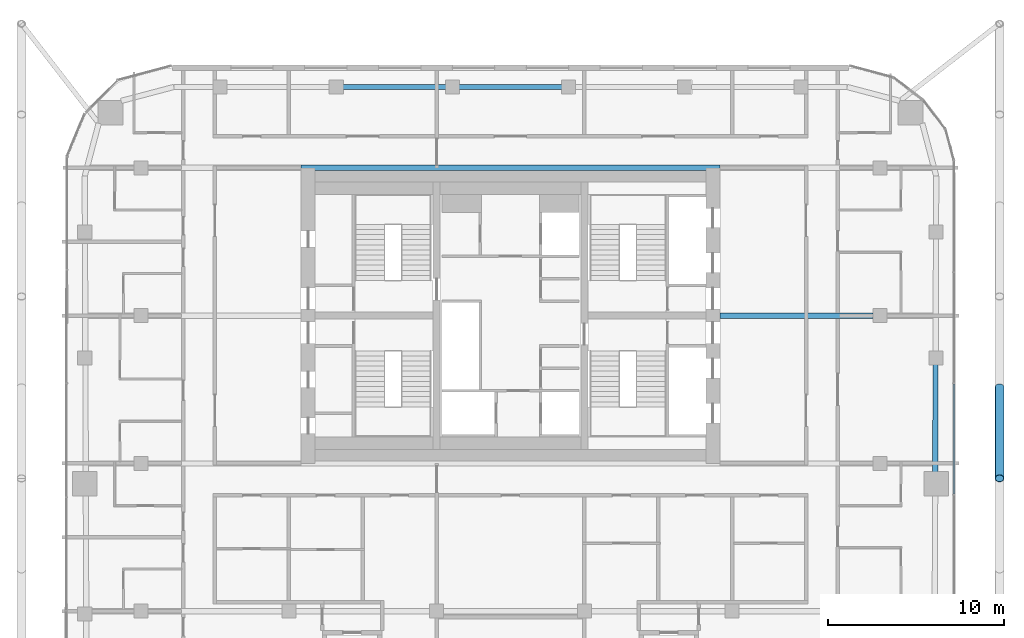
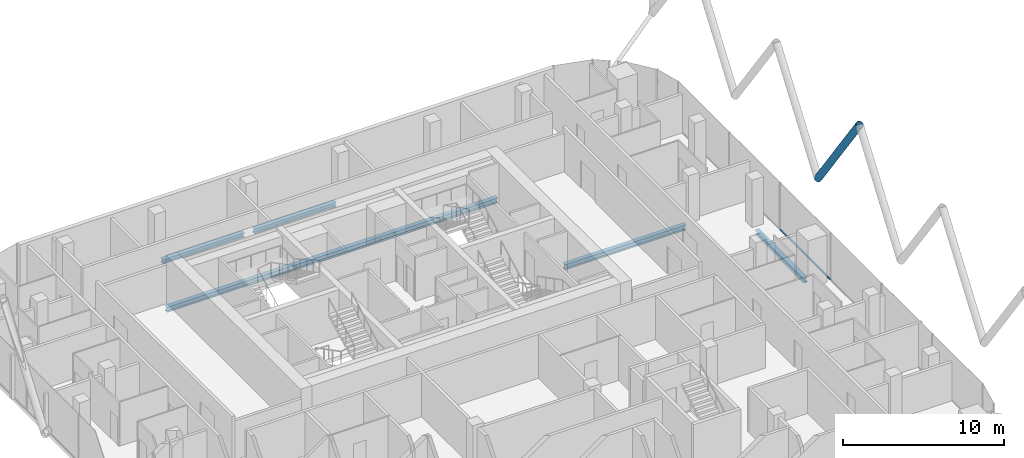
# One storey, part 9 of 28: 5 beams, 2 members, 1 element without a shape of its own.
"""IFC4 building model written with IfcOpenShell, lengths in metres."""

from ifc_helpers import new_model, si_unit, direction, frame, origin, origin_2d, place, context, subcontext, project, spatial, rectangle, hollow_circle, i_section, extrude, material, layer, layer_set, material_profile, profile_set, type_object, element, aggregate, save


model = new_model("IFC4")

# Units and contexts
model_context = context("Model", 3, precision=1e-05, world=origin(), true_north=direction((0.0, 1.0)))
body_context = subcontext(model_context, "Body", "Model", "MODEL_VIEW")
ifc_project = project(units=[si_unit("LENGTHUNIT", "METRE"), si_unit("AREAUNIT", "SQUARE_METRE"), si_unit("VOLUMEUNIT", "CUBIC_METRE"), si_unit("PLANEANGLEUNIT", "RADIAN"), si_unit("MASSUNIT", "GRAM", prefix="KILO")], contexts=[model_context])

# Site, building, storey
site_placement = place(None, origin())
site = spatial("IfcSite", under=ifc_project, at=site_placement, CompositionType="ELEMENT")
building_placement = place(site_placement, origin())
building = spatial("IfcBuilding", under=site, at=building_placement, Name="Marenta Gate Hotel Tower", CompositionType="ELEMENT")
storey_placement = place(building_placement, frame((0.0, 0.0, 227.300048828125)))
storey = spatial("IfcBuildingStorey", under=building, at=storey_placement, Name="L53", CompositionType="ELEMENT", Elevation=227.300048828125)

# Member
ifc_material_1 = material(Name="Steel S355J2W", Category="steel")
ifc_material_profile_1 = material_profile(ifc_material_1, hollow_circle(Radius=0.25390625, WallThickness=0.02490234375, at=origin_2d()), Name="CHS 508x25")
ifc_profile_set_1 = profile_set([ifc_material_profile_1], Name="Steel S355J2W")
member_type_1 = type_object("IfcMemberType", Name="Diagrid diagonal Z3 CHS 508x25", PredefinedType="BRACE", material=ifc_profile_set_1)
member_1_placement = place(storey_placement, frame((27.800048828125, 4.31982421875, 3.139892578125), z_axis=(0.0, -0.583260841117, 0.812284919975), x_axis=(1.0, 0.0, 0.0)))
element("IfcMember", 1, at=member_1_placement, inside=storey, type_object=member_type_1, Name="L53-DG-5", PredefinedType="BRACE", context=body_context, shape_type="SweptSolid", body=[
    extrude(hollow_circle(Radius=0.25390625, WallThickness=0.02490234375, at=origin_2d()), origin(), (0.0, 0.0, 1.0), 8.86376953125),
])

# Beams
ifc_material_2 = material(Name="Steel S355", Category="steel")
ifc_material_profile_2 = material_profile(ifc_material_2, i_section(OverallWidth=0.300048828125, OverallDepth=0.340087890625, WebThickness=0.011962890625, FlangeThickness=0.021484375, FilletRadius=0.027099609375, at=origin_2d()), Name="HEB 340")
ifc_profile_set_2 = profile_set([ifc_material_profile_2], Name="Steel S355")
beam_type_1 = type_object("IfcBeamType", Name="Edge beam HEB 340", PredefinedType="SPANDREL", material=ifc_profile_set_2)
for number, where, z_axis, x_axis, name in (
    (2, (-9.544189453125, 21.39990234375, -0.429931640625), (1.0, 0.0, 0.0), (0.0, 1.0, 0.0), "L53-EB-15"),
    (3, (-2.94140625, 21.39990234375, -0.429931640625), (1.0, 0.0, 0.0), (0.0, 1.0, 0.0), "L53-EB-16"),
):
    element("IfcBeam", number, at=place(storey_placement, frame(where, z_axis=z_axis, x_axis=x_axis)), inside=storey, type_object=beam_type_1, Name=name, PredefinedType="SPANDREL", context=body_context, shape_type="SweptSolid", body=[
        extrude(i_section(OverallWidth=0.300048828125, OverallDepth=0.340087890625, WebThickness=0.011962890625, FlangeThickness=0.021484375, FilletRadius=0.027099609375, at=origin_2d()), origin(), (0.0, 0.0, 1.0), 5.8828125),
    ])
beam_1_placement = place(storey_placement, frame((24.164306640625, 5.643310546875, -0.429931640625), z_axis=(-0.003303859048, -0.999994542243, 0.0), x_axis=(0.999994542243, -0.003303859048, 0.0)))
element("IfcBeam", 4, at=beam_1_placement, inside=storey, type_object=beam_type_1, Name="L53-EB-24", PredefinedType="SPANDREL", context=body_context, shape_type="SweptSolid", body=[
    extrude(i_section(OverallWidth=0.300048828125, OverallDepth=0.340087890625, WebThickness=0.011962890625, FlangeThickness=0.021484375, FilletRadius=0.027099609375, at=origin_2d()), origin(), (0.0, 0.0, 1.0), 6.13330078125),
])
ifc_material_3 = material(Name="Steel S355", Category="steel")
ifc_material_profile_3 = material_profile(ifc_material_3, i_section(OverallWidth=0.300048828125, OverallDepth=0.39990234375, WebThickness=0.013427734375, FlangeThickness=0.02392578125, FilletRadius=0.027099609375, at=origin_2d()), Name="HEB 400")
ifc_profile_set_3 = profile_set([ifc_material_profile_3], Name="Steel S355")
beam_type_2 = type_object("IfcBeamType", Name="Girder HEB 400", PredefinedType="BEAM", material=ifc_profile_set_3)
beam_2_placement = place(storey_placement, frame((11.89990234375, 8.39990234375, -0.4599609375), z_axis=(1.0, 0.0, 0.0), x_axis=(0.0, 1.0, 0.0)))
element("IfcBeam", 5, at=beam_2_placement, inside=storey, type_object=beam_type_2, Name="L53-GD-27", PredefinedType="BEAM", context=body_context, shape_type="SweptSolid", body=[
    extrude(i_section(OverallWidth=0.300048828125, OverallDepth=0.39990234375, WebThickness=0.013427734375, FlangeThickness=0.02392578125, FilletRadius=0.027099609375, at=origin_2d()), origin(), (0.0, 0.0, 1.0), 8.7001953125),
])
beam_3_placement = place(storey_placement, frame((-11.89990234375, 16.800048828125, -0.4599609375), z_axis=(1.0, 0.0, 0.0), x_axis=(0.0, 1.0, 0.0)))
element("IfcBeam", 6, at=beam_3_placement, inside=storey, type_object=beam_type_2, Name="L53-GD-31", PredefinedType="BEAM", context=body_context, shape_type="SweptSolid", body=[
    extrude(i_section(OverallWidth=0.300048828125, OverallDepth=0.39990234375, WebThickness=0.013427734375, FlangeThickness=0.02392578125, FilletRadius=0.027099609375, at=origin_2d()), origin(), (0.0, 0.0, 1.0), 23.7998046875),
])

# Curtain wall, member
ifc_material_4 = material(Name="Tinted insulated glass in bronze anodised frame", Category="glass")
ifc_layer = layer(ifc_material_4, 0.1201171875)
ifc_layer_set = layer_set([ifc_layer], Name="Tinted insulated glass in bronze anodised frame")
curtain_wall_type = type_object("IfcCurtainWallType", Name="Tower unitised curtain wall CW1", PredefinedType="NOTDEFINED", material=ifc_layer_set)
curtain_wall_placement = place(storey_placement, origin())
curtain_wall = element("IfcCurtainWall", 7, at=curtain_wall_placement, inside=storey, type_object=curtain_wall_type, Name="CW1 run G19", PredefinedType="NOTDEFINED")
ifc_material_5 = material(Name="Bronze anodised aluminium", Category="aluminium")
ifc_material_profile_4 = material_profile(ifc_material_5, rectangle(XDim=0.1201171875, YDim=0.06005859375, at=origin_2d()), Name="Transom CW1 60x120 bronze anodised aluminium")
ifc_profile_set_4 = profile_set([ifc_material_profile_4], Name="Bronze anodised aluminium")
member_type_2 = type_object("IfcMemberType", Name="Transom CW1 60x120 bronze anodised aluminium", PredefinedType="USERDEFINED", material=ifc_profile_set_4)
member_2_placement = place(storey_placement, frame((25.214111328125, -1.74609375, 0.030029296875), z_axis=(0.0, 1.0, 0.0), x_axis=(-1.0, 0.0, 0.0)))
member_2 = element("IfcMember", 8, at=member_2_placement, type_object=member_type_2, Name="CW1 transom 4.1", ObjectType="TRANSOM", PredefinedType="USERDEFINED", context=body_context, shape_type="SweptSolid", body=[
    extrude(rectangle(XDim=0.1201171875, YDim=0.06005859375, at=origin_2d()), origin(), (0.0, 0.0, 1.0), 6.2626953125),
])
aggregate(curtain_wall, [member_2])

save(model, "model.ifc")
